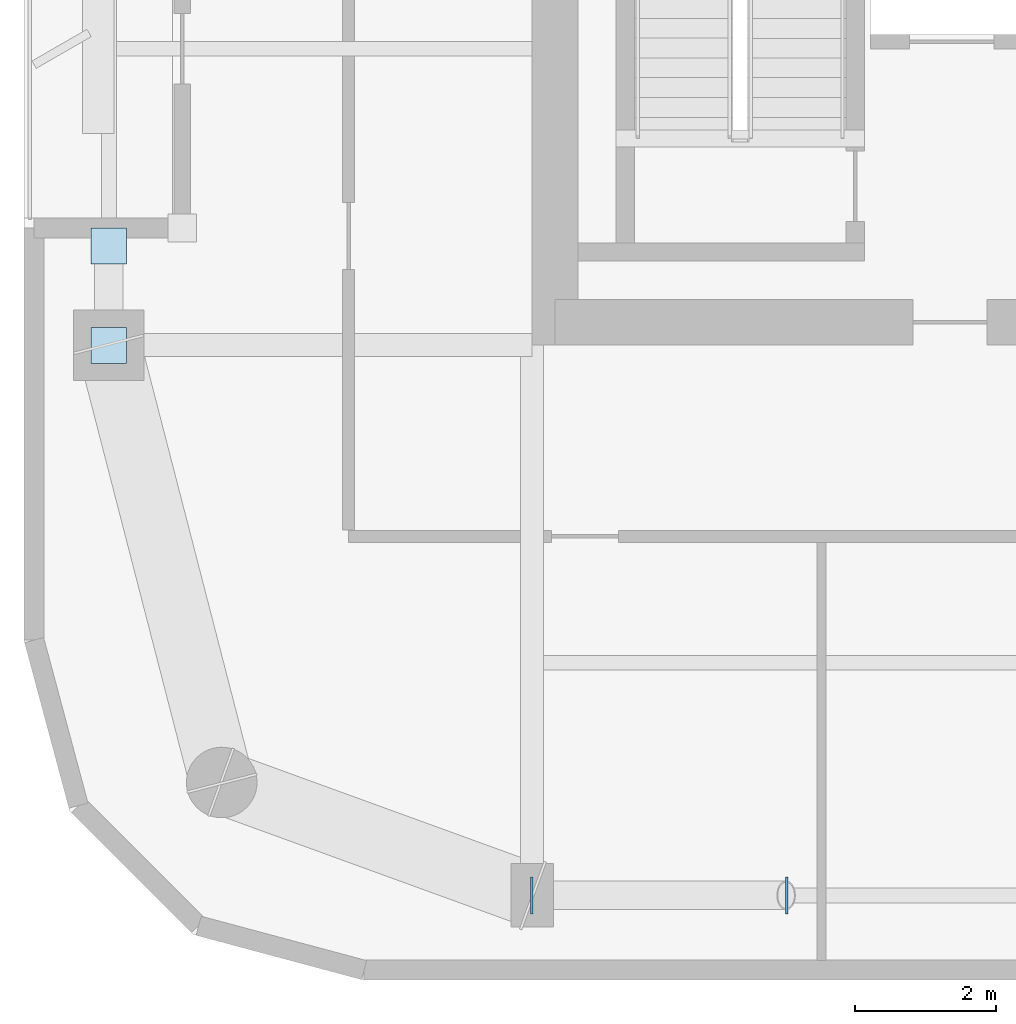
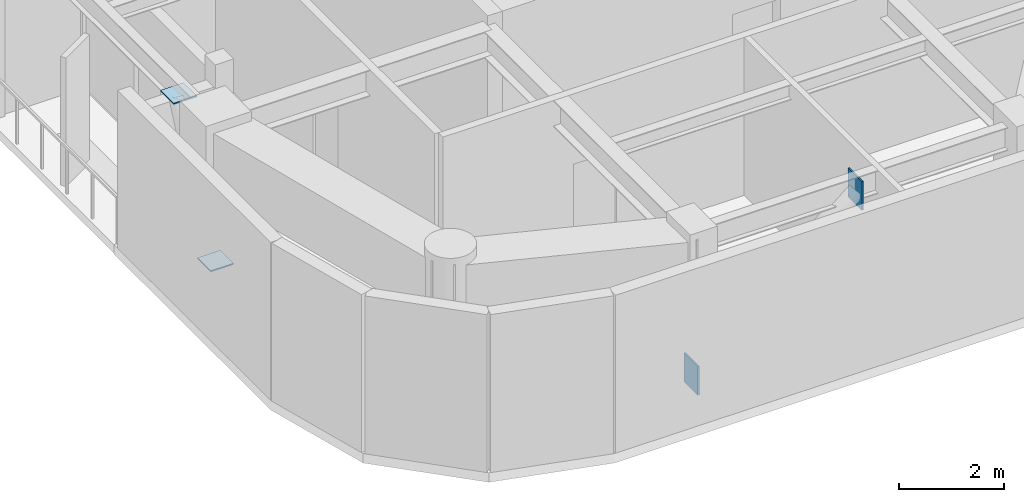
# One storey, part 8 of 15: 4 plates.
"""IFC4 building model written with IfcOpenShell, lengths in metres."""

from ifc_helpers import new_model, si_unit, direction, frame, origin, origin_2d, place, context, subcontext, project, spatial, rectangle, extrude, material, layer, layer_set, type_object, element, save


model = new_model("IFC4")

# Units and contexts
model_context = context("Model", 3, precision=1e-05, world=origin(), true_north=direction((0.0, 1.0)))
body_context = subcontext(model_context, "Body", "Model", "MODEL_VIEW")
ifc_project = project(units=[si_unit("LENGTHUNIT", "METRE"), si_unit("AREAUNIT", "SQUARE_METRE"), si_unit("VOLUMEUNIT", "CUBIC_METRE"), si_unit("PLANEANGLEUNIT", "RADIAN"), si_unit("MASSUNIT", "GRAM", prefix="KILO")], contexts=[model_context])

# Site, building, storey
site_placement = place(None, origin())
site = spatial("IfcSite", under=ifc_project, at=site_placement, CompositionType="ELEMENT")
building_placement = place(site_placement, origin())
building = spatial("IfcBuilding", under=site, at=building_placement, Name="Kiyonajd Concourse Tower", CompositionType="ELEMENT")
storey_placement = place(building_placement, frame((0.0, 0.0, 258.89990234375)))
storey = spatial("IfcBuildingStorey", under=building, at=storey_placement, Name="L65", CompositionType="ELEMENT", Elevation=258.89990234375)

# Plates
ifc_material = material(Name="Steel ASTM A572 Grade 50", Category="steel")
ifc_layer = layer(ifc_material, 0.028076171875)
ifc_layer_set = layer_set([ifc_layer], Name="Steel ASTM A572 Grade 50")
plate_type = type_object("IfcPlateType", Name="PL-CAP-450", PredefinedType="USERDEFINED", material=ifc_layer_set)
for number, where, z_axis, x_axis, name in (
    (1, (32.3916015625, 19.800048828125, -0.04248046875), (0.0, 0.0, 1.0), (-1.0, 0.0, 0.0), "L65 Hollow Brace End Cap Plate PBS"),
    (2, (36.00830078125, 19.800048828125, 3.001708984375), (0.0, 0.0, 1.0), (1.0, 0.0, 0.0), "L65 Hollow Brace Top Cap Plate PBS"),
):
    element("IfcPlate", number, at=place(storey_placement, frame(where, z_axis=z_axis, x_axis=x_axis)), inside=storey, type_object=plate_type, Name=name, ObjectType="CAP PLATE", PredefinedType="USERDEFINED", context=body_context, shape_type="SweptSolid", body=[
        extrude(rectangle(XDim=0.035888671875, YDim=0.52587890625, at=origin_2d()), origin(), (0.0, 0.0, 1.0), 0.6708984375),
    ])
for number, where, z_axis, x_axis, name in (
    (3, (26.39990234375, 27.595458984375, 0.27587890625), (0.0, 0.0, 1.0), (1.0, 0.0, 0.0), "L65 Hollow Brace End Cap Plate PBW"),
    (4, (26.39990234375, 29.004638671875, 3.326171875), (0.0, 0.0, 1.0), (1.0, 0.0, 0.0), "L65 Hollow Brace Top Cap Plate PBW"),
):
    element("IfcPlate", number, at=place(storey_placement, frame(where, z_axis=z_axis, x_axis=x_axis)), inside=storey, type_object=plate_type, Name=name, ObjectType="CAP PLATE", PredefinedType="USERDEFINED", context=body_context, shape_type="SweptSolid", body=[
        extrude(rectangle(XDim=0.506103515625, YDim=0.506103515625, at=origin_2d()), origin(), (0.0, 0.0, 1.0), 0.028076171875),
    ])

save(model, "model.ifc")
